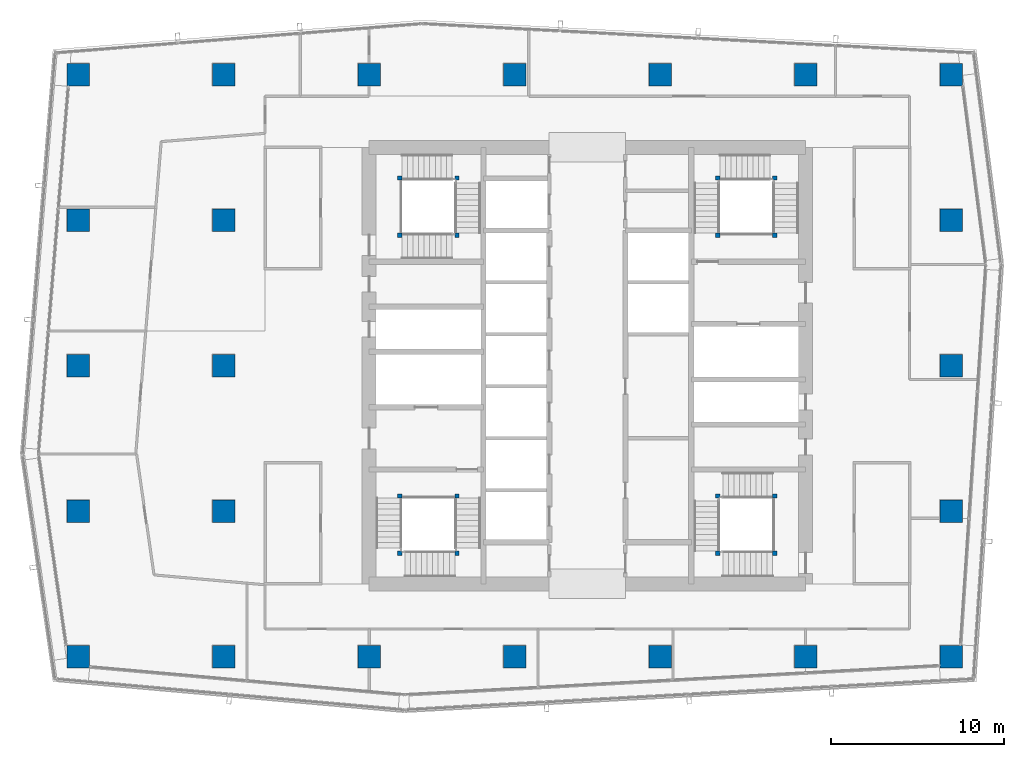
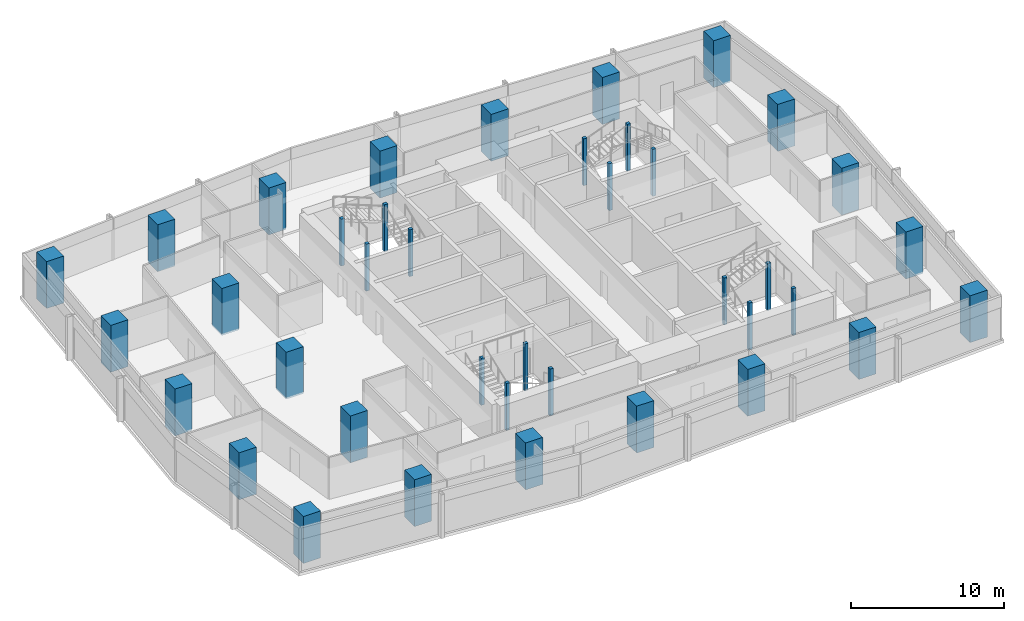
# One storey, part 1 of 30: 39 columns.
"""IFC4 building model written with IfcOpenShell, lengths in metres."""

import ifcopenshell
import ifcopenshell.guid

model = None  # the IFC model being written
_history = None  # IfcOwnerHistory: only IFC2X3 demands one
_inside = {}  # id of a spatial element -> (the spatial element, [elements in it])
_under = {}  # id of a project, library or spatial element -> (it, [spatial elements below it])
_declared = {}  # id of a project -> (the project, [libraries it declares])
_typed = {}  # id of a type object -> (the type object, [elements of that type])
_made_of = {}  # id of a material, layer set ... -> (it, [elements and type objects made of it])


def new_model(schema):
    """Start an empty IFC model of exactly this schema.

    Asked for "IFC4X3", IfcOpenShell would pick the latest addendum, in which some entities
    have other attributes; the version numbers below select the first issue.
    IFC2X3 requires an IfcOwnerHistory on every rooted entity: one is made here for all.
    """
    global model, _history
    if schema == "IFC4X3":
        model = ifcopenshell.file(schema_version=(4, 3, 0, 0))
    else:
        model = ifcopenshell.file(schema=schema)
    _inside.clear()
    _under.clear()
    _declared.clear()
    _typed.clear()
    _made_of.clear()
    _history = None
    if model.schema == "IFC2X3":
        org = make("IfcOrganization", Name="unknown")
        user = make(
            "IfcPersonAndOrganization",
            ThePerson=make("IfcPerson", FamilyName="unknown"),
            TheOrganization=org,
        )
        app = make(
            "IfcApplication",
            ApplicationDeveloper=org,
            Version="unknown",
            ApplicationFullName="unknown",
            ApplicationIdentifier="unknown",
        )
        _history = make(
            "IfcOwnerHistory",
            OwningUser=user,
            OwningApplication=app,
            ChangeAction="ADDED",
            CreationDate=0,
        )
    return model


def make(cls, **values):
    """One entity of the class cls with the attributes given. An attribute that is None is left unset."""
    return model.create_entity(
        cls, **{name: value for name, value in values.items() if value is not None}
    )


def rooted(cls, **values):
    """An entity with a GlobalId (a new one), such as an element, a storey or a relation."""
    return make(cls, GlobalId=ifcopenshell.guid.new(), OwnerHistory=_history, **values)


def si_unit(unit_type, name, prefix=None):
    """IfcSIUnit, for example si_unit("LENGTHUNIT", "METRE", prefix="MILLI")."""
    return make("IfcSIUnit", UnitType=unit_type, Prefix=prefix, Name=name)


def assignment(units):
    """IfcUnitAssignment: the units of a project."""
    return None if units is None else make("IfcUnitAssignment", Units=units)


def point(xyz):
    """IfcCartesianPoint."""
    return None if xyz is None else make("IfcCartesianPoint", Coordinates=xyz)


def direction(xyz):
    """IfcDirection."""
    return None if xyz is None else make("IfcDirection", DirectionRatios=xyz)


def frame(location, z_axis=None, x_axis=None):
    """IfcAxis2Placement3D, a coordinate frame: its origin and axes. An axis left out is left unset."""
    return make(
        "IfcAxis2Placement3D",
        Location=point(location),
        Axis=direction(z_axis),
        RefDirection=direction(x_axis),
    )


def frame_2d(location, x_axis=None):
    """IfcAxis2Placement2D, a coordinate frame in the plane: its origin and x axis."""
    return make(
        "IfcAxis2Placement2D", Location=point(location), RefDirection=direction(x_axis)
    )


def origin():
    """The frame at (0, 0, 0) with its axes left unset."""
    return frame((0.0, 0.0, 0.0))


def origin_2d():
    """The frame at (0, 0) in the plane with its x axis left unset."""
    return frame_2d((0.0, 0.0))


def place(relative_to, where):
    """IfcLocalPlacement: puts the frame where relative to a parent placement (None: the world)."""
    return make(
        "IfcLocalPlacement", PlacementRelTo=relative_to, RelativePlacement=where
    )


def context(
    kind, dimensions, precision=None, world=None, true_north=None, identifier=None
):
    """IfcGeometricRepresentationContext, for example the 3D "Model" context."""
    return make(
        "IfcGeometricRepresentationContext",
        ContextIdentifier=identifier,
        ContextType=kind,
        CoordinateSpaceDimension=dimensions,
        Precision=precision,
        WorldCoordinateSystem=world,
        TrueNorth=true_north,
    )


def subcontext(parent, identifier, kind, view, scale=None):
    """IfcGeometricRepresentationSubContext, for example "Body" below "Model"."""
    return make(
        "IfcGeometricRepresentationSubContext",
        ContextIdentifier=identifier,
        ContextType=kind,
        ParentContext=parent,
        TargetScale=scale,
        TargetView=view,
    )


def project(units=None, contexts=None):
    """IfcProject with its units and contexts."""
    return rooted(
        "IfcProject",
        Name="project",
        RepresentationContexts=contexts,
        UnitsInContext=assignment(units),
    )


def spatial(cls, under=None, at=None, **own):
    """A site, building, storey or space (cls), placed at a placement, below another one or the project."""
    s = rooted(cls, ObjectPlacement=at, **own)
    if under is not None:
        _under.setdefault(under.id(), (under, []))[1].append(s)
    return s


def profile(cls, at=None, kind="AREA", **sizes):
    """A parametric profile (cls). Its sizes go by their IFC names, for example OverallWidth=200.0."""
    return make(cls, ProfileType=kind, Position=at, **sizes)


def rectangle(**sizes):
    """IfcRectangleProfileDef."""
    return profile("IfcRectangleProfileDef", **sizes)


def extrude(swept, where, along, depth):
    """IfcExtrudedAreaSolid: the profile swept, set in the frame where, extruded along a direction by depth."""
    return make(
        "IfcExtrudedAreaSolid",
        SweptArea=swept,
        Position=where,
        ExtrudedDirection=direction(along),
        Depth=depth,
    )


def shape(context_of_items, identifier, shape_type, items):
    """IfcShapeRepresentation: the items that make up one representation, for example the "Body"."""
    return make(
        "IfcShapeRepresentation",
        ContextOfItems=context_of_items,
        RepresentationIdentifier=identifier,
        RepresentationType=shape_type,
        Items=items,
    )


def material(Name=None, Category=None):
    """IfcMaterial."""
    return make("IfcMaterial", Name=Name, Category=Category)


def material_profile(
    of_material, cross_section, Name=None, Category=None, Priority=None
):
    """IfcMaterialProfile: a cross section and its material."""
    return make(
        "IfcMaterialProfile",
        Name=Name,
        Material=of_material,
        Profile=cross_section,
        Priority=Priority,
        Category=Category,
    )


def profile_set(profiles, Name=None, composite=None):
    """IfcMaterialProfileSet."""
    return make(
        "IfcMaterialProfileSet",
        Name=Name,
        MaterialProfiles=profiles,
        CompositeProfile=composite,
    )


def made_of(thing, what):
    """Note that an element or type object is made of a material, layer set ...; save() writes the relation."""
    if what is not None:
        _made_of.setdefault(what.id(), (what, []))[1].append(thing)
    return thing


def type_object(cls, material=None, **own):
    """A type object (cls), such as IfcWallType, which elements share."""
    return made_of(rooted(cls, **own), material)


def element(
    cls,
    number,
    at=None,
    inside=None,
    cuts=None,
    type_object=None,
    material=None,
    context=None,
    identifier="Body",
    shape_type=None,
    held_by="IfcProductDefinitionShape",
    body=None,
    shapes=None,
    **own,
):
    """One element of the class cls, such as IfcWall. Its Tag is "e" and its number.

    at: its placement. inside: the storey or other place that contains it. cuts: it is an
    opening in that element (IfcRelVoidsElement). A single representation is given by context,
    identifier, shape_type and body (its items); several are given by shapes. held_by: the class
    of the entity that holds the representations. save() writes the other relations.
    """
    e = rooted(cls, Tag="e%d" % number, ObjectPlacement=at, **own)
    if body is not None:
        shapes = [shape(context, identifier, shape_type, body)]
    if shapes is not None:
        e.Representation = make(held_by, Representations=shapes)
    if inside is not None:
        _inside.setdefault(inside.id(), (inside, []))[1].append(e)
    if cuts is not None:
        rooted(
            "IfcRelVoidsElement", RelatingBuildingElement=cuts, RelatedOpeningElement=e
        )
    if type_object is not None:
        _typed.setdefault(type_object.id(), (type_object, []))[1].append(e)
    return made_of(e, material)


def aggregate(whole, parts):
    """IfcRelAggregates: a whole, such as a stair, and the parts it consists of."""
    return rooted("IfcRelAggregates", RelatingObject=whole, RelatedObjects=parts)


def save(model, path):
    """Write the relations noted so far, then the file.

    IfcRelAggregates (storeys below a building ...), IfcRelContainedInSpatialStructure (elements
    in a storey), IfcRelDefinesByType, IfcRelAssociatesMaterial and IfcRelDeclares: one each for
    every whole, place, type object, material and project.
    """
    for whole, parts in _under.values():
        aggregate(whole, parts)
    for where, things in _inside.values():
        rooted(
            "IfcRelContainedInSpatialStructure",
            RelatedElements=things,
            RelatingStructure=where,
        )
    for kind, things in _typed.values():
        rooted("IfcRelDefinesByType", RelatedObjects=things, RelatingType=kind)
    for what, things in _made_of.values():
        rooted("IfcRelAssociatesMaterial", RelatedObjects=things, RelatingMaterial=what)
    for by, libraries in _declared.values():
        rooted("IfcRelDeclares", RelatingContext=by, RelatedDefinitions=libraries)
    model.write(path)


model = new_model("IFC4")

# Units and contexts
model_context = context("Model", 3, precision=1e-05, world=origin(), true_north=direction((0.0, 1.0)))
body_context = subcontext(model_context, "Body", "Model", "MODEL_VIEW")
ifc_project = project(units=[si_unit("LENGTHUNIT", "METRE"), si_unit("AREAUNIT", "SQUARE_METRE"), si_unit("VOLUMEUNIT", "CUBIC_METRE"), si_unit("PLANEANGLEUNIT", "RADIAN"), si_unit("MASSUNIT", "GRAM", prefix="KILO")], contexts=[model_context])

# Site, building, storey
site_placement = place(None, origin())
site = spatial("IfcSite", under=ifc_project, at=site_placement, CompositionType="ELEMENT")
building_placement = place(site_placement, origin())
building = spatial("IfcBuilding", under=site, at=building_placement, Name="Rekha Terrace Tower", CompositionType="ELEMENT")
storey_placement = place(building_placement, frame((0.0, 0.0, 272.60009765625)))
storey = spatial("IfcBuildingStorey", under=building, at=storey_placement, Name="L69", CompositionType="ELEMENT", Elevation=272.60009765625)

# Columns
ifc_material_1 = material(Name="Concrete M70", Category="concrete")
ifc_material_profile_1 = material_profile(ifc_material_1, rectangle(XDim=1.300048828125, YDim=1.300048828125, at=origin_2d()), Name="RC 1300x1300")
ifc_profile_set_1 = profile_set([ifc_material_profile_1], Name="Concrete M70")
column_type_1 = type_object("IfcColumnType", Name="C5D 1300x1300 column", PredefinedType="COLUMN", material=ifc_profile_set_1)
for number, where, z_axis, x_axis, name in (
    (1, (8.39990234375, 16.800048828125, 0.0), (0.0, 0.0, 1.0), (1.0, 0.0, 0.0), "Column C5D 2/C L69"),
    (2, (8.39990234375, 25.199951171875, 0.0), (0.0, 0.0, 1.0), (1.0, 0.0, 0.0), "Column C5D 2/D L69"),
    (3, (8.39990234375, 33.60009765625, 0.0), (0.0, 0.0, 1.0), (1.0, 0.0, 0.0), "Column C5D 2/E L69"),
    (4, (8.39990234375, 42.0, 0.0), (0.0, 0.0, 1.0), (1.0, 0.0, 0.0), "Column C5D 2/F L69"),
    (5, (8.39990234375, 50.39990234375, 0.0), (0.0, 0.0, 1.0), (1.0, 0.0, 0.0), "Column C5D 2/G L69"),
    (6, (16.800048828125, 16.800048828125, 0.0), (0.0, 0.0, 1.0), (1.0, 0.0, 0.0), "Column C5D 3/C L69"),
    (7, (16.800048828125, 25.199951171875, 0.0), (0.0, 0.0, 1.0), (1.0, 0.0, 0.0), "Column C5D 3/D L69"),
    (8, (16.800048828125, 33.60009765625, 0.0), (0.0, 0.0, 1.0), (1.0, 0.0, 0.0), "Column C5D 3/E L69"),
    (9, (16.800048828125, 42.0, 0.0), (0.0, 0.0, 1.0), (1.0, 0.0, 0.0), "Column C5D 3/F L69"),
    (10, (16.800048828125, 50.39990234375, 0.0), (0.0, 0.0, 1.0), (1.0, 0.0, 0.0), "Column C5D 3/G L69"),
    (11, (25.199951171875, 16.800048828125, 0.0), (0.0, 0.0, 1.0), (1.0, 0.0, 0.0), "Column C5D 4/C L69"),
    (12, (25.199951171875, 50.39990234375, 0.0), (0.0, 0.0, 1.0), (1.0, 0.0, 0.0), "Column C5D 4/G L69"),
    (13, (33.60009765625, 16.800048828125, 0.0), (0.0, 0.0, 1.0), (1.0, 0.0, 0.0), "Column C5D 5/C L69"),
    (14, (33.60009765625, 50.39990234375, 0.0), (0.0, 0.0, 1.0), (1.0, 0.0, 0.0), "Column C5D 5/G L69"),
    (15, (42.0, 16.800048828125, 0.0), (0.0, 0.0, 1.0), (1.0, 0.0, 0.0), "Column C5D 6/C L69"),
    (16, (42.0, 50.39990234375, 0.0), (0.0, 0.0, 1.0), (1.0, 0.0, 0.0), "Column C5D 6/G L69"),
    (17, (50.39990234375, 16.800048828125, 0.0), (0.0, 0.0, 1.0), (1.0, 0.0, 0.0), "Column C5D 7/C L69"),
    (18, (50.39990234375, 50.39990234375, 0.0), (0.0, 0.0, 1.0), (1.0, 0.0, 0.0), "Column C5D 7/G L69"),
    (19, (58.800048828125, 16.800048828125, 0.0), (0.0, 0.0, 1.0), (1.0, 0.0, 0.0), "Column C5D 8/C L69"),
    (20, (58.800048828125, 25.199951171875, 0.0), (0.0, 0.0, 1.0), (1.0, 0.0, 0.0), "Column C5D 8/D L69"),
    (21, (58.800048828125, 33.60009765625, 0.0), (0.0, 0.0, 1.0), (1.0, 0.0, 0.0), "Column C5D 8/E L69"),
    (22, (58.800048828125, 42.0, 0.0), (0.0, 0.0, 1.0), (1.0, 0.0, 0.0), "Column C5D 8/F L69"),
    (23, (58.800048828125, 50.39990234375, 0.0), (0.0, 0.0, 1.0), (1.0, 0.0, 0.0), "Column C5D 8/G L69"),
):
    element("IfcColumn", number, at=place(storey_placement, frame(where, z_axis=z_axis, x_axis=x_axis)), inside=storey, type_object=column_type_1, Name=name, PredefinedType="COLUMN", context=body_context, shape_type="SweptSolid", body=[
        extrude(rectangle(XDim=1.300048828125, YDim=1.300048828125, at=origin_2d()), origin(), (0.0, 0.0, 1.0), 3.75),
    ])
ifc_material_2 = material(Name="Concrete M60", Category="concrete")
ifc_material_profile_2 = material_profile(ifc_material_2, rectangle(XDim=0.25, YDim=0.25, at=origin_2d()), Name="RC 250x250")
ifc_profile_set_2 = profile_set([ifc_material_profile_2], Name="Concrete M60")
column_type_2 = type_object("IfcColumnType", Name="NP1 250x250 stair newel post", PredefinedType="COLUMN", material=ifc_profile_set_2)
for number, where, z_axis, x_axis, name in (
    (24, (30.27490234375, 26.074951171875, 0.0), (0.0, 0.0, 1.0), (1.0, 0.0, 0.0), "Stair newel post NP1"),
    (25, (30.27490234375, 22.77490234375, 0.0), (0.0, 0.0, 1.0), (1.0, 0.0, 0.0), "Stair newel post NP1"),
    (26, (26.97509765625, 22.77490234375, 0.0), (0.0, 0.0, 1.0), (1.0, 0.0, 0.0), "Stair newel post NP1"),
    (27, (26.97509765625, 26.074951171875, 0.0), (0.0, 0.0, 1.0), (1.0, 0.0, 0.0), "Stair newel post NP1"),
    (28, (45.324951171875, 41.125, 0.0), (0.0, 0.0, 1.0), (1.0, 0.0, 0.0), "Stair newel post NP1"),
    (29, (45.324951171875, 44.425048828125, 0.0), (0.0, 0.0, 1.0), (1.0, 0.0, 0.0), "Stair newel post NP1"),
    (30, (48.625, 44.425048828125, 0.0), (0.0, 0.0, 1.0), (1.0, 0.0, 0.0), "Stair newel post NP1"),
    (31, (48.625, 41.125, 0.0), (0.0, 0.0, 1.0), (1.0, 0.0, 0.0), "Stair newel post NP1"),
    (32, (48.625, 22.77490234375, 0.0), (0.0, 0.0, 1.0), (1.0, 0.0, 0.0), "Stair newel post NP1"),
    (33, (45.324951171875, 22.77490234375, 0.0), (0.0, 0.0, 1.0), (1.0, 0.0, 0.0), "Stair newel post NP1"),
    (34, (45.324951171875, 26.074951171875, 0.0), (0.0, 0.0, 1.0), (1.0, 0.0, 0.0), "Stair newel post NP1"),
    (35, (48.625, 26.074951171875, 0.0), (0.0, 0.0, 1.0), (1.0, 0.0, 0.0), "Stair newel post NP1"),
    (36, (26.97509765625, 41.125, 0.0), (0.0, 0.0, 1.0), (1.0, 0.0, 0.0), "Stair newel post NP1"),
    (37, (30.27490234375, 41.125, 0.0), (0.0, 0.0, 1.0), (1.0, 0.0, 0.0), "Stair newel post NP1"),
    (38, (30.27490234375, 44.425048828125, 0.0), (0.0, 0.0, 1.0), (1.0, 0.0, 0.0), "Stair newel post NP1"),
    (39, (26.97509765625, 44.425048828125, 0.0), (0.0, 0.0, 1.0), (1.0, 0.0, 0.0), "Stair newel post NP1"),
):
    element("IfcColumn", number, at=place(storey_placement, frame(where, z_axis=z_axis, x_axis=x_axis)), inside=storey, type_object=column_type_2, Name=name, PredefinedType="COLUMN", context=body_context, shape_type="SweptSolid", body=[
        extrude(rectangle(XDim=0.25, YDim=0.25, at=origin_2d()), origin(), (0.0, 0.0, 1.0), 3.75),
    ])

save(model, "model.ifc")
